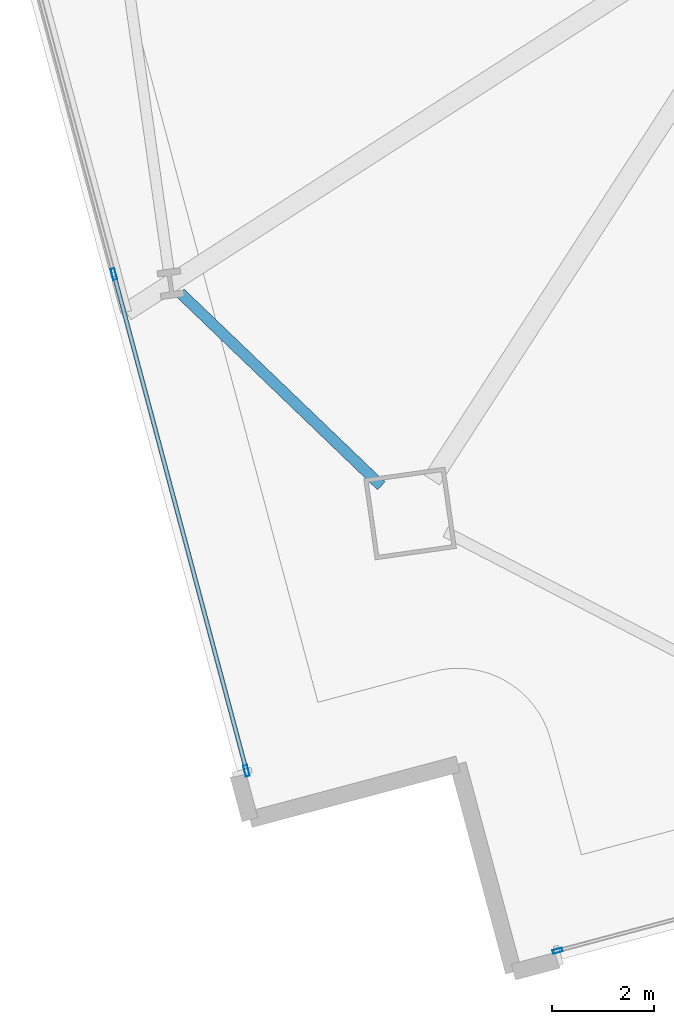
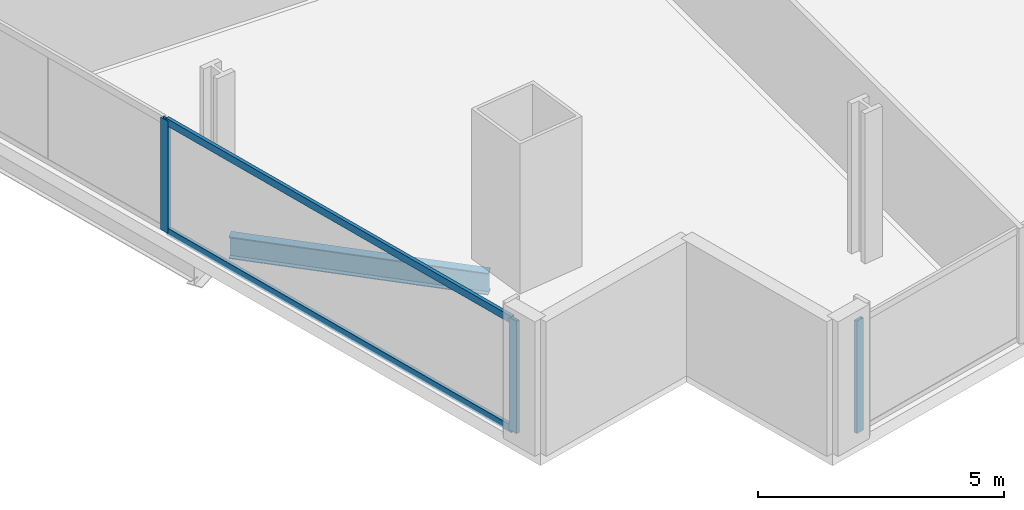
# One storey, part 2 of 33: 5 members, 1 beam, 2 elements without a shape of their own.
"""IFC4 building model written with IfcOpenShell, lengths in metres."""

from ifc_helpers import new_model, si_unit, direction, frame, origin, origin_2d, place, context, subcontext, project, spatial, hollow_rectangle, i_section, extrude, material, material_profile, profile_set, type_object, element, aggregate, save


model = new_model("IFC4")

# Units and contexts
model_context = context("Model", 3, precision=1e-05, world=origin(), true_north=direction((0.0, 1.0)))
body_context = subcontext(model_context, "Body", "Model", "MODEL_VIEW")
ifc_project = project(units=[si_unit("LENGTHUNIT", "METRE"), si_unit("AREAUNIT", "SQUARE_METRE"), si_unit("VOLUMEUNIT", "CUBIC_METRE"), si_unit("PLANEANGLEUNIT", "RADIAN"), si_unit("MASSUNIT", "GRAM", prefix="KILO")], contexts=[model_context])

# Site, building, storey
site_placement = place(None, origin())
site = spatial("IfcSite", under=ifc_project, at=site_placement, CompositionType="ELEMENT")
building_placement = place(site_placement, origin())
building = spatial("IfcBuilding", under=site, at=building_placement, Name="Haldenkirk Collegiate Tower", CompositionType="ELEMENT")
storey_placement = place(building_placement, frame((0.0, 0.0, 77.699951171875)))
storey = spatial("IfcBuildingStorey", under=building, at=storey_placement, Name="L18", CompositionType="ELEMENT", Elevation=77.699951171875)

# Beam
ifc_material_1 = material(Name="Steel ASTM A992 Grade 50", Category="steel")
ifc_material_profile_1 = material_profile(ifc_material_1, i_section(OverallWidth=0.2119140625, OverallDepth=0.5439453125, WebThickness=0.01318359375, FlangeThickness=0.021240234375, at=origin_2d()), Name="W21X83")
ifc_profile_set_1 = profile_set([ifc_material_profile_1], Name="Steel ASTM A992 Grade 50")
beam_type = type_object("IfcBeamType", Name="BM-SPANDREL-W21X83", PredefinedType="SPANDREL", material=ifc_profile_set_1)
beam_placement = place(storey_placement, frame((14.212890625, 9.47412109375, -0.58203125), z_axis=(0.721492362326, -0.692422393561, 0.0), x_axis=(0.692422393561, 0.721492362326, 0.0)))
element("IfcBeam", 1, at=beam_placement, inside=storey, type_object=beam_type, Name="L18 perimeter spandrel beam 16", PredefinedType="SPANDREL", context=body_context, shape_type="SweptSolid", body=[
    extrude(i_section(OverallWidth=0.2119140625, OverallDepth=0.5439453125, WebThickness=0.01318359375, FlangeThickness=0.021240234375, at=origin_2d()), origin(), (0.0, 0.0, 1.0), 5.433837890625),
])

# Curtain wall, member
ifc_material_2 = material(Name="Anodised architectural bronze aluminium", Category="aluminium")
curtain_wall_type_1 = type_object("IfcCurtainWallType", Name="CW-SYS2-CONCAVE", PredefinedType="USERDEFINED", material=ifc_material_2)
curtain_wall_1_placement = place(storey_placement, origin())
curtain_wall_1 = element("IfcCurtainWall", 2, at=curtain_wall_1_placement, inside=storey, type_object=curtain_wall_type_1, Name="L18 South concave recessed bronze-anodised curtain wall", ObjectType="UNITISED CURTAIN WALL", PredefinedType="USERDEFINED")
ifc_material_profile_2 = material_profile(ifc_material_2, hollow_rectangle(XDim=0.074951171875, YDim=0.18994140625, WallThickness=0.0048828125, at=origin_2d()), Name="CW-MUL-02")
ifc_profile_set_2 = profile_set([ifc_material_profile_2], Name="Anodised architectural bronze aluminium")
member_type_1 = type_object("IfcMemberType", Name="CW-MUL-02", PredefinedType="MULLION", material=ifc_profile_set_2)
member_1_placement = place(storey_placement, frame((21.573486328125, -3.360595703125, 0.0), z_axis=(0.0, 0.0, 1.0), x_axis=(0.257976294663, -0.966151246644, 0.0)))
member_1 = element("IfcMember", 3, at=member_1_placement, type_object=member_type_1, Name="CW-02 mullion 5", PredefinedType="MULLION", context=body_context, shape_type="SweptSolid", body=[
    extrude(hollow_rectangle(XDim=0.074951171875, YDim=0.18994140625, WallThickness=0.0048828125, at=origin_2d()), origin(), (0.0, 0.0, 1.0), 2.791015625),
])
aggregate(curtain_wall_1, [member_1])

# Curtain wall, members
curtain_wall_type_2 = type_object("IfcCurtainWallType", Name="CW-SYS1-CONVEX-LOW", PredefinedType="USERDEFINED", material=ifc_material_2)
curtain_wall_2_placement = place(storey_placement, origin())
curtain_wall_2 = element("IfcCurtainWall", 4, at=curtain_wall_2_placement, inside=storey, type_object=curtain_wall_type_2, Name="L18 Lower tower convex bronze-framed unitised curtain wall", ObjectType="UNITISED CURTAIN WALL", PredefinedType="USERDEFINED")
ifc_material_profile_3 = material_profile(ifc_material_2, hollow_rectangle(XDim=0.080078125, YDim=0.219970703125, WallThickness=0.0048828125, at=origin_2d()), Name="CW-MUL-1A")
ifc_profile_set_3 = profile_set([ifc_material_profile_3], Name="Anodised architectural bronze aluminium")
member_type_2 = type_object("IfcMemberType", Name="CW-MUL-1A", PredefinedType="MULLION", material=ifc_profile_set_3)
member_2_placement = place(storey_placement, frame((15.504150390625, 0.152587890625, 0.0), z_axis=(0.0, 0.0, 1.0), x_axis=(-0.966151932944, -0.257973724375, 0.0)))
member_2 = element("IfcMember", 5, at=member_2_placement, type_object=member_type_2, Name="CW-1A mullion 1", PredefinedType="MULLION", context=body_context, shape_type="SweptSolid", body=[
    extrude(hollow_rectangle(XDim=0.080078125, YDim=0.219970703125, WallThickness=0.0048828125, at=origin_2d()), origin(), (0.0, 0.0, 1.0), 2.791015625),
])
member_3_placement = place(storey_placement, frame((12.9169921875, 9.842041015625, 0.0), z_axis=(0.0, 0.0, 1.0), x_axis=(-0.966151932944, -0.257973724375, 0.0)))
member_3 = element("IfcMember", 6, at=member_3_placement, type_object=member_type_2, Name="CW-1A mullion 2", PredefinedType="MULLION", context=body_context, shape_type="SweptSolid", body=[
    extrude(hollow_rectangle(XDim=0.080078125, YDim=0.219970703125, WallThickness=0.0048828125, at=origin_2d()), origin(), (0.0, 0.0, 1.0), 2.791015625),
])
ifc_material_profile_4 = material_profile(ifc_material_2, hollow_rectangle(XDim=0.080078125, YDim=0.179931640625, WallThickness=0.0048828125, at=origin_2d()), Name="CW-TRN-1A")
ifc_profile_set_4 = profile_set([ifc_material_profile_4], Name="Anodised architectural bronze aluminium")
member_type_3 = type_object("IfcMemberType", Name="CW-TRN-1A", PredefinedType="USERDEFINED", material=ifc_profile_set_4)
member_4_placement = place(storey_placement, frame((15.493896484375, 0.19140625, 0.0400390625), z_axis=(-0.2579910262, 0.966147312991, 0.0), x_axis=(-0.966147312991, -0.2579910262, 0.0)))
member_4 = element("IfcMember", 7, at=member_4_placement, type_object=member_type_3, Name="CW-1A transom 1.1", ObjectType="TRANSOM", PredefinedType="USERDEFINED", context=body_context, shape_type="SweptSolid", body=[
    extrude(hollow_rectangle(XDim=0.080078125, YDim=0.179931640625, WallThickness=0.0048828125, at=origin_2d()), origin(), (0.0, 0.0, 1.0), 9.948486328125),
])
member_5_placement = place(storey_placement, frame((15.493896484375, 0.19140625, 2.7509765625), z_axis=(-0.2579910262, 0.966147312991, 0.0), x_axis=(-0.966147312991, -0.2579910262, 0.0)))
member_5 = element("IfcMember", 8, at=member_5_placement, type_object=member_type_3, Name="CW-1A transom 1.2", ObjectType="TRANSOM", PredefinedType="USERDEFINED", context=body_context, shape_type="SweptSolid", body=[
    extrude(hollow_rectangle(XDim=0.080078125, YDim=0.179931640625, WallThickness=0.0048828125, at=origin_2d()), origin(), (0.0, 0.0, 1.0), 9.948486328125),
])
aggregate(curtain_wall_2, [member_2, member_3, member_4, member_5])

save(model, "model.ifc")
